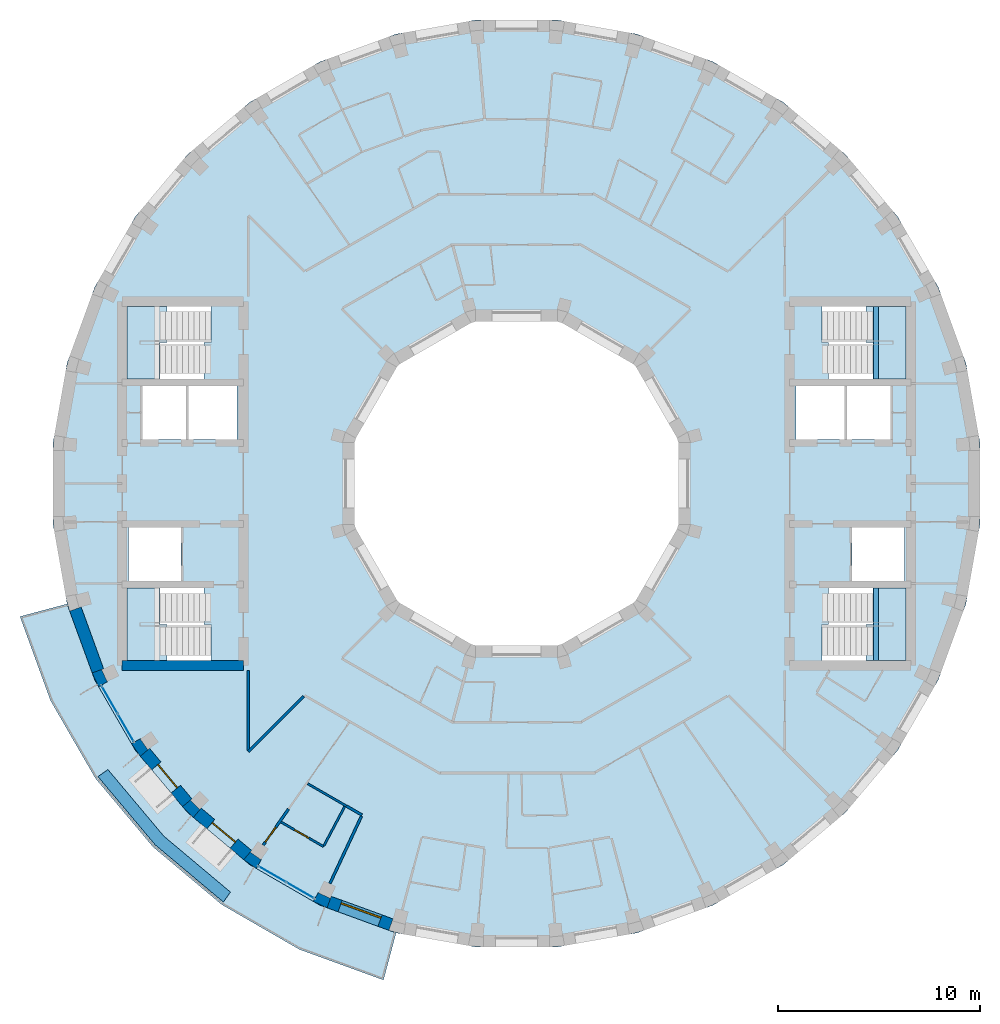
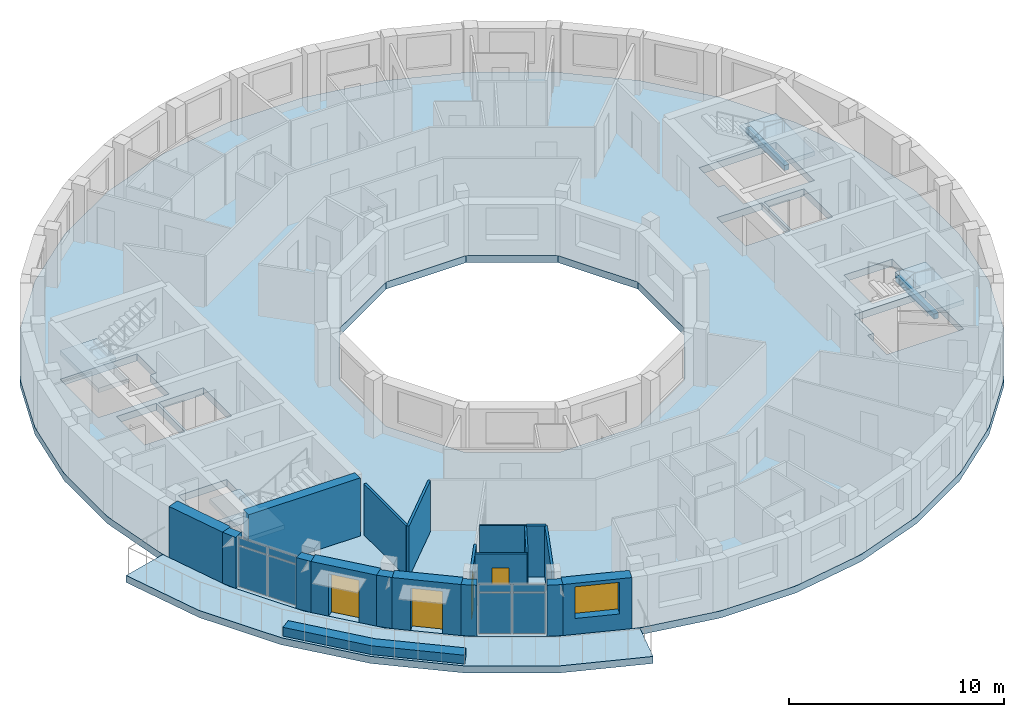
# One storey, part 3 of 12: 19 walls, 8 plates, 6 slabs, 4 doors, 2 beams, 1 window, 5 openings, 6 elements without a shape of their own.
"""IFC4 building model written with IfcOpenShell, lengths in metres."""

import ifcopenshell
import ifcopenshell.guid

model = None  # the IFC model being written
_history = None  # IfcOwnerHistory: only IFC2X3 demands one
_inside = {}  # id of a spatial element -> (the spatial element, [elements in it])
_under = {}  # id of a project, library or spatial element -> (it, [spatial elements below it])
_declared = {}  # id of a project -> (the project, [libraries it declares])
_typed = {}  # id of a type object -> (the type object, [elements of that type])
_made_of = {}  # id of a material, layer set ... -> (it, [elements and type objects made of it])


def new_model(schema):
    """Start an empty IFC model of exactly this schema.

    Asked for "IFC4X3", IfcOpenShell would pick the latest addendum, in which some entities
    have other attributes; the version numbers below select the first issue.
    IFC2X3 requires an IfcOwnerHistory on every rooted entity: one is made here for all.
    """
    global model, _history
    if schema == "IFC4X3":
        model = ifcopenshell.file(schema_version=(4, 3, 0, 0))
    else:
        model = ifcopenshell.file(schema=schema)
    _inside.clear()
    _under.clear()
    _declared.clear()
    _typed.clear()
    _made_of.clear()
    _history = None
    if model.schema == "IFC2X3":
        org = make("IfcOrganization", Name="unknown")
        user = make(
            "IfcPersonAndOrganization",
            ThePerson=make("IfcPerson", FamilyName="unknown"),
            TheOrganization=org,
        )
        app = make(
            "IfcApplication",
            ApplicationDeveloper=org,
            Version="unknown",
            ApplicationFullName="unknown",
            ApplicationIdentifier="unknown",
        )
        _history = make(
            "IfcOwnerHistory",
            OwningUser=user,
            OwningApplication=app,
            ChangeAction="ADDED",
            CreationDate=0,
        )
    return model


def make(cls, **values):
    """One entity of the class cls with the attributes given. An attribute that is None is left unset."""
    return model.create_entity(
        cls, **{name: value for name, value in values.items() if value is not None}
    )


def rooted(cls, **values):
    """An entity with a GlobalId (a new one), such as an element, a storey or a relation."""
    return make(cls, GlobalId=ifcopenshell.guid.new(), OwnerHistory=_history, **values)


def si_unit(unit_type, name, prefix=None):
    """IfcSIUnit, for example si_unit("LENGTHUNIT", "METRE", prefix="MILLI")."""
    return make("IfcSIUnit", UnitType=unit_type, Prefix=prefix, Name=name)


def assignment(units):
    """IfcUnitAssignment: the units of a project."""
    return None if units is None else make("IfcUnitAssignment", Units=units)


def point(xyz):
    """IfcCartesianPoint."""
    return None if xyz is None else make("IfcCartesianPoint", Coordinates=xyz)


def direction(xyz):
    """IfcDirection."""
    return None if xyz is None else make("IfcDirection", DirectionRatios=xyz)


def frame(location, z_axis=None, x_axis=None):
    """IfcAxis2Placement3D, a coordinate frame: its origin and axes. An axis left out is left unset."""
    return make(
        "IfcAxis2Placement3D",
        Location=point(location),
        Axis=direction(z_axis),
        RefDirection=direction(x_axis),
    )


def frame_2d(location, x_axis=None):
    """IfcAxis2Placement2D, a coordinate frame in the plane: its origin and x axis."""
    return make(
        "IfcAxis2Placement2D", Location=point(location), RefDirection=direction(x_axis)
    )


def origin():
    """The frame at (0, 0, 0) with its axes left unset."""
    return frame((0.0, 0.0, 0.0))


def origin_2d():
    """The frame at (0, 0) in the plane with its x axis left unset."""
    return frame_2d((0.0, 0.0))


def place(relative_to, where):
    """IfcLocalPlacement: puts the frame where relative to a parent placement (None: the world)."""
    return make(
        "IfcLocalPlacement", PlacementRelTo=relative_to, RelativePlacement=where
    )


def context(
    kind, dimensions, precision=None, world=None, true_north=None, identifier=None
):
    """IfcGeometricRepresentationContext, for example the 3D "Model" context."""
    return make(
        "IfcGeometricRepresentationContext",
        ContextIdentifier=identifier,
        ContextType=kind,
        CoordinateSpaceDimension=dimensions,
        Precision=precision,
        WorldCoordinateSystem=world,
        TrueNorth=true_north,
    )


def subcontext(parent, identifier, kind, view, scale=None):
    """IfcGeometricRepresentationSubContext, for example "Body" below "Model"."""
    return make(
        "IfcGeometricRepresentationSubContext",
        ContextIdentifier=identifier,
        ContextType=kind,
        ParentContext=parent,
        TargetScale=scale,
        TargetView=view,
    )


def project(units=None, contexts=None):
    """IfcProject with its units and contexts."""
    return rooted(
        "IfcProject",
        Name="project",
        RepresentationContexts=contexts,
        UnitsInContext=assignment(units),
    )


def spatial(cls, under=None, at=None, **own):
    """A site, building, storey or space (cls), placed at a placement, below another one or the project."""
    s = rooted(cls, ObjectPlacement=at, **own)
    if under is not None:
        _under.setdefault(under.id(), (under, []))[1].append(s)
    return s


def polyline(points):
    """IfcPolyline through the points."""
    return make("IfcPolyline", Points=[point(p) for p in points])


def profile(cls, at=None, kind="AREA", **sizes):
    """A parametric profile (cls). Its sizes go by their IFC names, for example OverallWidth=200.0."""
    return make(cls, ProfileType=kind, Position=at, **sizes)


def rectangle(**sizes):
    """IfcRectangleProfileDef."""
    return profile("IfcRectangleProfileDef", **sizes)


def outline(outer, holes=None, kind="AREA"):
    """IfcArbitraryClosedProfileDef: a profile drawn as a closed curve; with holes, ...WithVoids."""
    if holes is None:
        return make("IfcArbitraryClosedProfileDef", ProfileType=kind, OuterCurve=outer)
    return make(
        "IfcArbitraryProfileDefWithVoids",
        ProfileType=kind,
        OuterCurve=outer,
        InnerCurves=holes,
    )


def extrude(swept, where, along, depth):
    """IfcExtrudedAreaSolid: the profile swept, set in the frame where, extruded along a direction by depth."""
    return make(
        "IfcExtrudedAreaSolid",
        SweptArea=swept,
        Position=where,
        ExtrudedDirection=direction(along),
        Depth=depth,
    )


def shape(context_of_items, identifier, shape_type, items):
    """IfcShapeRepresentation: the items that make up one representation, for example the "Body"."""
    return make(
        "IfcShapeRepresentation",
        ContextOfItems=context_of_items,
        RepresentationIdentifier=identifier,
        RepresentationType=shape_type,
        Items=items,
    )


def material(Name=None, Category=None):
    """IfcMaterial."""
    return make("IfcMaterial", Name=Name, Category=Category)


def layer(
    of_material, thickness, ventilated=None, Name=None, Category=None, Priority=None
):
    """IfcMaterialLayer: one layer of a wall or slab, of a material (None: an air gap)."""
    return make(
        "IfcMaterialLayer",
        Material=of_material,
        LayerThickness=thickness,
        IsVentilated=ventilated,
        Name=Name,
        Category=Category,
        Priority=Priority,
    )


def layer_set(layers, Name=None):
    """IfcMaterialLayerSet."""
    return make("IfcMaterialLayerSet", MaterialLayers=layers, LayerSetName=Name)


def material_profile(
    of_material, cross_section, Name=None, Category=None, Priority=None
):
    """IfcMaterialProfile: a cross section and its material."""
    return make(
        "IfcMaterialProfile",
        Name=Name,
        Material=of_material,
        Profile=cross_section,
        Priority=Priority,
        Category=Category,
    )


def profile_set(profiles, Name=None, composite=None):
    """IfcMaterialProfileSet."""
    return make(
        "IfcMaterialProfileSet",
        Name=Name,
        MaterialProfiles=profiles,
        CompositeProfile=composite,
    )


def made_of(thing, what):
    """Note that an element or type object is made of a material, layer set ...; save() writes the relation."""
    if what is not None:
        _made_of.setdefault(what.id(), (what, []))[1].append(thing)
    return thing


def type_object(cls, material=None, **own):
    """A type object (cls), such as IfcWallType, which elements share."""
    return made_of(rooted(cls, **own), material)


def element(
    cls,
    number,
    at=None,
    inside=None,
    cuts=None,
    type_object=None,
    material=None,
    context=None,
    identifier="Body",
    shape_type=None,
    held_by="IfcProductDefinitionShape",
    body=None,
    shapes=None,
    **own,
):
    """One element of the class cls, such as IfcWall. Its Tag is "e" and its number.

    at: its placement. inside: the storey or other place that contains it. cuts: it is an
    opening in that element (IfcRelVoidsElement). A single representation is given by context,
    identifier, shape_type and body (its items); several are given by shapes. held_by: the class
    of the entity that holds the representations. save() writes the other relations.
    """
    e = rooted(cls, Tag="e%d" % number, ObjectPlacement=at, **own)
    if body is not None:
        shapes = [shape(context, identifier, shape_type, body)]
    if shapes is not None:
        e.Representation = make(held_by, Representations=shapes)
    if inside is not None:
        _inside.setdefault(inside.id(), (inside, []))[1].append(e)
    if cuts is not None:
        rooted(
            "IfcRelVoidsElement", RelatingBuildingElement=cuts, RelatedOpeningElement=e
        )
    if type_object is not None:
        _typed.setdefault(type_object.id(), (type_object, []))[1].append(e)
    return made_of(e, material)


def fill(opening, filler):
    """IfcRelFillsElement: the door or window that sits in an opening."""
    return rooted(
        "IfcRelFillsElement",
        RelatingOpeningElement=opening,
        RelatedBuildingElement=filler,
    )


def aggregate(whole, parts):
    """IfcRelAggregates: a whole, such as a stair, and the parts it consists of."""
    return rooted("IfcRelAggregates", RelatingObject=whole, RelatedObjects=parts)


def save(model, path):
    """Write the relations noted so far, then the file.

    IfcRelAggregates (storeys below a building ...), IfcRelContainedInSpatialStructure (elements
    in a storey), IfcRelDefinesByType, IfcRelAssociatesMaterial and IfcRelDeclares: one each for
    every whole, place, type object, material and project.
    """
    for whole, parts in _under.values():
        aggregate(whole, parts)
    for where, things in _inside.values():
        rooted(
            "IfcRelContainedInSpatialStructure",
            RelatedElements=things,
            RelatingStructure=where,
        )
    for kind, things in _typed.values():
        rooted("IfcRelDefinesByType", RelatedObjects=things, RelatingType=kind)
    for what, things in _made_of.values():
        rooted("IfcRelAssociatesMaterial", RelatedObjects=things, RelatingMaterial=what)
    for by, libraries in _declared.values():
        rooted("IfcRelDeclares", RelatingContext=by, RelatedDefinitions=libraries)
    model.write(path)


model = new_model("IFC4")

# Units and contexts
model_context = context("Model", 3, precision=1e-05, world=origin(), true_north=direction((0.0, 1.0)))
body_context = subcontext(model_context, "Body", "Model", "MODEL_VIEW")
ifc_project = project(units=[si_unit("LENGTHUNIT", "METRE"), si_unit("AREAUNIT", "SQUARE_METRE"), si_unit("VOLUMEUNIT", "CUBIC_METRE"), si_unit("PLANEANGLEUNIT", "RADIAN"), si_unit("MASSUNIT", "GRAM", prefix="KILO")], contexts=[model_context])

# Site, building, storey
site_placement = place(None, origin())
site = spatial("IfcSite", under=ifc_project, at=site_placement, CompositionType="ELEMENT")
building_placement = place(site_placement, origin())
building = spatial("IfcBuilding", under=site, at=building_placement, Name="Saqina Gate Tower", CompositionType="ELEMENT")
storey_placement = place(building_placement, frame((0.0, 0.0, 259.39990234375)))
storey = spatial("IfcBuildingStorey", under=building, at=storey_placement, Name="L74", CompositionType="ELEMENT", Elevation=259.39990234375)

# Beams
ifc_material_1 = material(Name="Concrete C40/50", Category="concrete")
ifc_material_profile = material_profile(ifc_material_1, rectangle(XDim=0.25, YDim=0.300048828125, at=origin_2d()), Name="STAIR LANDING BEAM")
ifc_profile_set = profile_set([ifc_material_profile], Name="Concrete C40/50")
beam_type = type_object("IfcBeamType", Name="STAIR LANDING BEAM", PredefinedType="BEAM", material=ifc_profile_set)
for number, where, z_axis, x_axis, name in (
    (1, (17.77001953125, 5.175048828125, 1.25), (0.0, 1.0, 0.0), (-1.0, 0.0, 0.0), "EXIT STAIR 1 LANDING BEAM"),
    (2, (17.77001953125, -8.75, 1.25), (0.0, 1.0, 0.0), (-1.0, 0.0, 0.0), "EXIT STAIR 2 LANDING BEAM"),
):
    element("IfcBeam", number, at=place(storey_placement, frame(where, z_axis=z_axis, x_axis=x_axis)), inside=storey, type_object=beam_type, Name=name, PredefinedType="BEAM", context=body_context, shape_type="SweptSolid", body=[
        extrude(rectangle(XDim=0.25, YDim=0.300048828125, at=origin_2d()), origin(), (0.0, 0.0, 1.0), 3.574951171875),
    ])

# Curtain wall, plates
ifc_material_2 = material(Name="Aluminium glazing", Category="aluminium")
ifc_layer_1 = layer(ifc_material_2, 0.159912109375)
ifc_layer_set_1 = layer_set([ifc_layer_1], Name="CWT-4")
curtain_wall_type = type_object("IfcCurtainWallType", Name="CWT-4", PredefinedType="NOTDEFINED", material=ifc_layer_set_1)
curtain_wall_1_placement = place(storey_placement, origin())
curtain_wall_1 = element("IfcCurtainWall", 3, at=curtain_wall_1_placement, inside=storey, type_object=curtain_wall_type, Name="Terrace lounge glazing facet 21", PredefinedType="NOTDEFINED")
ifc_material_3 = material(Name="Glass", Category="glass")
ifc_layer_2 = layer(ifc_material_3, 0.028076171875)
ifc_layer_set_2 = layer_set([ifc_layer_2], Name="CWT-4P")
plate_type = type_object("IfcPlateType", Name="CWT-4P", PredefinedType="CURTAIN_PANEL", material=ifc_layer_set_2)
plate_1_placement = place(storey_placement, frame((-20.11181640625, -10.690185546875, 0.06005859375), z_axis=(0.0, 0.0, 1.0), x_axis=(0.499982449212, -0.8660355365, 0.0)))
plate_1 = element("IfcPlate", 4, at=plate_1_placement, type_object=plate_type, Name="CW4-21 panel 1.1", PredefinedType="CURTAIN_PANEL", context=body_context, shape_type="SweptSolid", body=[
    extrude(rectangle(XDim=1.535888671875, YDim=0.028076171875, at=origin_2d()), origin(), (0.0, 0.0, 1.0), 2.31005859375),
])
plate_2_placement = place(storey_placement, frame((-20.11181640625, -10.690185546875, 2.43017578125), z_axis=(0.0, 0.0, 1.0), x_axis=(0.499982449212, -0.8660355365, 0.0)))
plate_2 = element("IfcPlate", 5, at=plate_2_placement, type_object=plate_type, Name="CW4-21 panel 1.2", PredefinedType="CURTAIN_PANEL", context=body_context, shape_type="SweptSolid", body=[
    extrude(rectangle(XDim=1.535888671875, YDim=0.028076171875, at=origin_2d()), origin(), (0.0, 0.0, 1.0), 0.409912109375),
])
plate_3_placement = place(storey_placement, frame((-19.31396484375, -12.072265625, 0.06005859375), z_axis=(0.0, 0.0, 1.0), x_axis=(0.499982449212, -0.8660355365, 0.0)))
plate_3 = element("IfcPlate", 6, at=plate_3_placement, type_object=plate_type, Name="CW4-21 panel 2.1", PredefinedType="CURTAIN_PANEL", context=body_context, shape_type="SweptSolid", body=[
    extrude(rectangle(XDim=1.535888671875, YDim=0.028076171875, at=origin_2d()), origin(), (0.0, 0.0, 1.0), 2.31005859375),
])
plate_4_placement = place(storey_placement, frame((-19.31396484375, -12.072265625, 2.43017578125), z_axis=(0.0, 0.0, 1.0), x_axis=(0.499982449212, -0.8660355365, 0.0)))
plate_4 = element("IfcPlate", 7, at=plate_4_placement, type_object=plate_type, Name="CW4-21 panel 2.2", PredefinedType="CURTAIN_PANEL", context=body_context, shape_type="SweptSolid", body=[
    extrude(rectangle(XDim=1.535888671875, YDim=0.028076171875, at=origin_2d()), origin(), (0.0, 0.0, 1.0), 0.409912109375),
])
aggregate(curtain_wall_1, [plate_1, plate_2, plate_3, plate_4])

curtain_wall_2_placement = place(storey_placement, origin())
curtain_wall_2 = element("IfcCurtainWall", 8, at=curtain_wall_2_placement, inside=storey, type_object=curtain_wall_type, Name="Terrace lounge glazing facet 24", PredefinedType="NOTDEFINED")
plate_5_placement = place(storey_placement, frame((-12.072265625, -19.31396484375, 0.06005859375), z_axis=(0.0, 0.0, 1.0), x_axis=(0.8660355365, -0.499982449212, 0.0)))
plate_5 = element("IfcPlate", 9, at=plate_5_placement, type_object=plate_type, Name="CW4-24 panel 1.1", PredefinedType="CURTAIN_PANEL", context=body_context, shape_type="SweptSolid", body=[
    extrude(rectangle(XDim=1.535888671875, YDim=0.028076171875, at=origin_2d()), origin(), (0.0, 0.0, 1.0), 2.31005859375),
])
plate_6_placement = place(storey_placement, frame((-12.072265625, -19.31396484375, 2.43017578125), z_axis=(0.0, 0.0, 1.0), x_axis=(0.8660355365, -0.499982449212, 0.0)))
plate_6 = element("IfcPlate", 10, at=plate_6_placement, type_object=plate_type, Name="CW4-24 panel 1.2", PredefinedType="CURTAIN_PANEL", context=body_context, shape_type="SweptSolid", body=[
    extrude(rectangle(XDim=1.535888671875, YDim=0.028076171875, at=origin_2d()), origin(), (0.0, 0.0, 1.0), 0.409912109375),
])
plate_7_placement = place(storey_placement, frame((-10.690185546875, -20.11181640625, 0.06005859375), z_axis=(0.0, 0.0, 1.0), x_axis=(0.8660355365, -0.499982449212, 0.0)))
plate_7 = element("IfcPlate", 11, at=plate_7_placement, type_object=plate_type, Name="CW4-24 panel 2.1", PredefinedType="CURTAIN_PANEL", context=body_context, shape_type="SweptSolid", body=[
    extrude(rectangle(XDim=1.535888671875, YDim=0.028076171875, at=origin_2d()), origin(), (0.0, 0.0, 1.0), 2.31005859375),
])
plate_8_placement = place(storey_placement, frame((-10.690185546875, -20.11181640625, 2.43017578125), z_axis=(0.0, 0.0, 1.0), x_axis=(0.8660355365, -0.499982449212, 0.0)))
plate_8 = element("IfcPlate", 12, at=plate_8_placement, type_object=plate_type, Name="CW4-24 panel 2.2", PredefinedType="CURTAIN_PANEL", context=body_context, shape_type="SweptSolid", body=[
    extrude(rectangle(XDim=1.535888671875, YDim=0.028076171875, at=origin_2d()), origin(), (0.0, 0.0, 1.0), 0.409912109375),
])
aggregate(curtain_wall_2, [plate_5, plate_6, plate_7, plate_8])

# Stair, slab
ifc_material_4 = material(Name="Concrete C40/50", Category="concrete")
stair_type = type_object("IfcStairType", Name="EXIT STAIR", PredefinedType="HALF_TURN_STAIR", material=ifc_material_4)
stair_1_placement = place(storey_placement, origin())
stair_1 = element("IfcStair", 13, at=stair_1_placement, inside=storey, type_object=stair_type, Name="EXIT STAIR 1", PredefinedType="HALF_TURN_STAIR")
ifc_material_5 = material(Name="Concrete C40/50", Category="concrete")
ifc_layer_3 = layer(ifc_material_5, 0.25)
ifc_layer_set_3 = layer_set([ifc_layer_3], Name="Concrete C40/50")
slab_type_1 = type_object("IfcSlabType", Name="EXIT STAIR LANDING", PredefinedType="LANDING", material=ifc_layer_set_3)
slab_1_placement = place(storey_placement, frame((0.0, 0.0, 1.400146484375)))
slab_1 = element("IfcSlab", 14, at=slab_1_placement, type_object=slab_type_1, Name="EXIT STAIR 1 LANDING 1", PredefinedType="LANDING", context=body_context, shape_type="SweptSolid", body=[
    extrude(outline(polyline([(19.25, 8.75), (19.25, 5.175048828125), (17.614990234375, 5.175048828125), (17.614990234375, 6.96240234375), (17.284423828125, 6.96240234375), (17.284423828125, 8.75), (17.614990234375, 8.75), (17.6201171875, 8.75), (19.25, 8.75)])), origin(), (0.0, 0.0, 1.0), 0.25),
])
aggregate(stair_1, [slab_1])

stair_2_placement = place(storey_placement, origin())
stair_2 = element("IfcStair", 15, at=stair_2_placement, inside=storey, type_object=stair_type, Name="EXIT STAIR 2", PredefinedType="HALF_TURN_STAIR")
slab_2_placement = place(storey_placement, frame((0.0, 0.0, 1.400146484375)))
slab_2 = element("IfcSlab", 16, at=slab_2_placement, type_object=slab_type_1, Name="EXIT STAIR 2 LANDING 1", PredefinedType="LANDING", context=body_context, shape_type="SweptSolid", body=[
    extrude(outline(polyline([(17.284423828125, -8.75), (17.284423828125, -6.96240234375), (17.614990234375, -6.96240234375), (17.614990234375, -5.175048828125), (19.25, -5.175048828125), (19.25, -8.75), (17.6201171875, -8.75), (17.614990234375, -8.75), (17.284423828125, -8.75)])), origin(), (0.0, 0.0, 1.0), 0.25),
])
aggregate(stair_2, [slab_2])

stair_3_placement = place(storey_placement, origin())
stair_3 = element("IfcStair", 17, at=stair_3_placement, inside=storey, type_object=stair_type, Name="EXIT STAIR 3", PredefinedType="HALF_TURN_STAIR")
slab_3_placement = place(storey_placement, frame((0.0, 0.0, 1.400146484375)))
slab_3 = element("IfcSlab", 18, at=slab_3_placement, type_object=slab_type_1, Name="EXIT STAIR 3 LANDING 1", PredefinedType="LANDING", context=body_context, shape_type="SweptSolid", body=[
    extrude(outline(polyline([(-17.614990234375, 5.175048828125), (-19.25, 5.175048828125), (-19.25, 8.75), (-17.6201171875, 8.75), (-17.614990234375, 8.75), (-17.284423828125, 8.75), (-17.284423828125, 6.96240234375), (-17.614990234375, 6.96240234375), (-17.614990234375, 5.175048828125)])), origin(), (0.0, 0.0, 1.0), 0.25),
])
aggregate(stair_3, [slab_3])

stair_4_placement = place(storey_placement, origin())
stair_4 = element("IfcStair", 19, at=stair_4_placement, inside=storey, type_object=stair_type, Name="EXIT STAIR 4", PredefinedType="HALF_TURN_STAIR")
slab_4_placement = place(storey_placement, frame((0.0, 0.0, 1.400146484375)))
slab_4 = element("IfcSlab", 20, at=slab_4_placement, type_object=slab_type_1, Name="EXIT STAIR 4 LANDING 1", PredefinedType="LANDING", context=body_context, shape_type="SweptSolid", body=[
    extrude(outline(polyline([(-17.284423828125, -6.96240234375), (-17.284423828125, -8.75), (-17.614990234375, -8.75), (-17.6201171875, -8.75), (-19.25, -8.75), (-19.25, -5.175048828125), (-17.614990234375, -5.175048828125), (-17.614990234375, -6.96240234375), (-17.284423828125, -6.96240234375)])), origin(), (0.0, 0.0, 1.0), 0.25),
])
aggregate(stair_4, [slab_4])

# Slabs
ifc_material_6 = material(Name="Concrete C40/50", Category="concrete")
ifc_layer_4 = layer(ifc_material_6, 0.39990234375)
ifc_layer_set_4 = layer_set([ifc_layer_4], Name="Concrete C40/50")
slab_type_2 = type_object("IfcSlabType", Name="STR-POST-TENSIONED FLAT PLATE FLOOR-400", PredefinedType="FLOOR", material=ifc_layer_set_4)
slab_5_placement = place(storey_placement, frame((0.0, 0.0, -0.39990234375)))
element("IfcSlab", 21, at=slab_5_placement, inside=storey, type_object=slab_type_2, Name="L74-SLB01", PredefinedType="FLOOR", context=body_context, shape_type="SweptSolid", body=[
    extrude(outline(polyline([(22.21630859375, -5.952880859375), (22.91259765625, -2.004638671875), (22.91259765625, 2.004638671875), (22.21630859375, 5.952880859375), (20.844970703125, 9.72021484375), (18.840576171875, 13.192138671875), (16.263427734375, 16.263427734375), (13.192138671875, 18.840576171875), (9.72021484375, 20.844970703125), (5.952880859375, 22.21630859375), (2.004638671875, 22.91259765625), (-2.004638671875, 22.91259765625), (-5.952880859375, 22.21630859375), (-9.72021484375, 20.844970703125), (-13.192138671875, 18.840576171875), (-16.263427734375, 16.263427734375), (-18.840576171875, 13.192138671875), (-20.844970703125, 9.72021484375), (-22.21630859375, 5.952880859375), (-22.91259765625, 2.004638671875), (-22.91259765625, -2.004638671875), (-22.21630859375, -5.952880859375), (-20.844970703125, -9.72021484375), (-18.840576171875, -13.192138671875), (-16.263427734375, -16.263427734375), (-13.192138671875, -18.840576171875), (-9.72021484375, -20.844970703125), (-5.952880859375, -22.21630859375), (-2.004638671875, -22.91259765625), (2.004638671875, -22.91259765625), (5.952880859375, -22.21630859375), (9.72021484375, -20.844970703125), (13.192138671875, -18.840576171875), (16.263427734375, -16.263427734375), (18.840576171875, -13.192138671875), (20.844970703125, -9.72021484375), (22.21630859375, -5.952880859375)]), holes=[polyline([(2.1435546875, 8.0), (5.8564453125, 5.8564453125), (8.0, 2.1435546875), (8.0, -2.1435546875), (5.8564453125, -5.8564453125), (2.1435546875, -8.0), (-2.1435546875, -8.0), (-5.8564453125, -5.8564453125), (-8.0, -2.1435546875), (-8.0, 2.1435546875), (-5.8564453125, 5.8564453125), (-2.1435546875, 8.0), (2.1435546875, 8.0)]), polyline([(-15.10498046875, -8.75), (-19.25, -8.75), (-19.25, -6.96240234375), (-19.25, -5.175048828125), (-15.435546875, -5.175048828125), (-15.435546875, -6.96240234375), (-15.10498046875, -6.96240234375), (-15.10498046875, -8.75)]), polyline([(-16.590087890625, -2.175048828125), (-16.590087890625, -4.824951171875), (-19.18994140625, -4.824951171875), (-19.18994140625, -2.175048828125), (-16.590087890625, -2.175048828125)]), polyline([(-16.340087890625, 4.824951171875), (-16.340087890625, 2.175048828125), (-18.5, 2.175048828125), (-18.5, 4.824951171875), (-16.340087890625, 4.824951171875)]), polyline([(-13.81005859375, 4.824951171875), (-13.81005859375, 2.175048828125), (-16.219970703125, 2.175048828125), (-16.219970703125, 4.824951171875), (-13.81005859375, 4.824951171875)]), polyline([(-19.25, 6.96240234375), (-19.25, 8.75), (-15.10498046875, 8.75), (-15.10498046875, 6.96240234375), (-15.435546875, 6.96240234375), (-15.435546875, 5.175048828125), (-19.25, 5.175048828125), (-19.25, 6.96240234375)]), polyline([(15.10498046875, -8.75), (15.10498046875, -6.96240234375), (15.435546875, -6.96240234375), (15.435546875, -5.175048828125), (19.25, -5.175048828125), (19.25, -6.96240234375), (19.25, -8.75), (15.10498046875, -8.75)]), polyline([(19.18994140625, -2.175048828125), (19.18994140625, -4.824951171875), (16.590087890625, -4.824951171875), (16.590087890625, -2.175048828125), (19.18994140625, -2.175048828125)]), polyline([(16.219970703125, 4.824951171875), (16.219970703125, 2.175048828125), (13.81005859375, 2.175048828125), (13.81005859375, 4.824951171875), (16.219970703125, 4.824951171875)]), polyline([(18.5, 4.824951171875), (18.5, 2.175048828125), (16.340087890625, 2.175048828125), (16.340087890625, 4.824951171875), (18.5, 4.824951171875)]), polyline([(15.435546875, 6.96240234375), (15.10498046875, 6.96240234375), (15.10498046875, 8.75), (19.25, 8.75), (19.25, 6.96240234375), (19.25, 5.175048828125), (15.435546875, 5.175048828125), (15.435546875, 6.96240234375)])]), origin(), (0.0, 0.0, 1.0), 0.39990234375),
])
ifc_material_7 = material(Name="Concrete C40/50", Category="concrete")
ifc_layer_5 = layer(ifc_material_7, 0.39990234375)
ifc_layer_set_5 = layer_set([ifc_layer_5], Name="Concrete C40/50")
slab_type_3 = type_object("IfcSlabType", Name="STR-POST-TENSIONED FLAT PLATE TERRACE-400", PredefinedType="FLOOR", material=ifc_layer_set_5)
slab_6_placement = place(storey_placement, frame((0.0, 0.0, -0.39990234375)))
element("IfcSlab", 22, at=slab_6_placement, inside=storey, type_object=slab_type_3, Name="L74-TRS01", PredefinedType="FLOOR", context=body_context, shape_type="SweptSolid", body=[
    extrude(outline(polyline([(-22.21630859375, -5.952880859375), (-20.844970703125, -9.72021484375), (-18.840576171875, -13.192138671875), (-16.263427734375, -16.263427734375), (-13.192138671875, -18.840576171875), (-9.72021484375, -20.844970703125), (-5.952880859375, -22.21630859375), (-6.576416015625, -24.54345703125), (-10.73828125, -23.028564453125), (-14.57421875, -20.81396484375), (-17.967041015625, -17.967041015625), (-20.81396484375, -14.57421875), (-23.028564453125, -10.73828125), (-24.54345703125, -6.576416015625), (-22.21630859375, -5.952880859375)])), origin(), (0.0, 0.0, 1.0), 0.39990234375),
])

# Walls
ifc_material_8 = material(Name="Brick masonry (buff)", Category="masonry")
wall_type_1 = type_object("IfcWallType", Name="BRICK PIER COPING BUFF", PredefinedType="SOLIDWALL", material=ifc_material_8)
wall_1_placement = place(storey_placement, origin())
element("IfcWall", 23, at=wall_1_placement, inside=storey, type_object=wall_type_1, Name="Pier cap L74 column 21", PredefinedType="SOLIDWALL", context=body_context, shape_type="SweptSolid", body=[
    extrude(outline(polyline([(-20.974609375, -9.3642578125), (-20.65576171875, -10.048095703125), (-20.135986328125, -9.748291015625), (-20.23193359375, -9.79296875), (-20.506591796875, -9.203857421875), (-20.410888671875, -9.1591796875), (-20.974609375, -9.3642578125)])), origin(), (0.0, 0.0, 1.0), 2.900146484375),
])
wall_2_placement = place(storey_placement, origin())
element("IfcWall", 24, at=wall_2_placement, inside=storey, type_object=wall_type_1, Name="Pier cap L74 column 22", PredefinedType="SOLIDWALL", context=body_context, shape_type="SweptSolid", body=[
    extrude(outline(polyline([(-19.02978515625, -12.8642578125), (-18.59716796875, -13.482421875), (-18.137451171875, -13.0966796875), (-18.22412109375, -13.157470703125), (-18.596923828125, -12.625), (-18.51025390625, -12.564208984375), (-19.02978515625, -12.8642578125)])), origin(), (0.0, 0.0, 1.0), 2.900146484375),
])
wall_3_placement = place(storey_placement, origin())
element("IfcWall", 25, at=wall_3_placement, inside=storey, type_object=wall_type_1, Name="Pier cap L74 column 23", PredefinedType="SOLIDWALL", context=body_context, shape_type="SweptSolid", body=[
    extrude(outline(polyline([(-15.973388671875, -16.5068359375), (-15.587646484375, -16.04736328125), (-15.662353515625, -16.1220703125), (-16.1220703125, -15.662353515625), (-16.04736328125, -15.587646484375), (-16.5068359375, -15.973388671875), (-15.973388671875, -16.5068359375)])), origin(), (0.0, 0.0, 1.0), 2.900146484375),
])
wall_4_placement = place(storey_placement, origin())
element("IfcWall", 26, at=wall_4_placement, inside=storey, type_object=wall_type_1, Name="Pier cap L74 column 24", PredefinedType="SOLIDWALL", context=body_context, shape_type="SweptSolid", body=[
    extrude(outline(polyline([(-12.8642578125, -19.02978515625), (-12.564208984375, -18.51025390625), (-12.625, -18.596923828125), (-13.157470703125, -18.22412109375), (-13.0966796875, -18.137451171875), (-13.482421875, -18.59716796875), (-12.8642578125, -19.02978515625)])), origin(), (0.0, 0.0, 1.0), 2.900146484375),
])
wall_5_placement = place(storey_placement, origin())
element("IfcWall", 27, at=wall_5_placement, inside=storey, type_object=wall_type_1, Name="Pier cap L74 column 25", PredefinedType="SOLIDWALL", context=body_context, shape_type="SweptSolid", body=[
    extrude(outline(polyline([(-10.048095703125, -20.65576171875), (-9.3642578125, -20.974609375), (-9.1591796875, -20.410888671875), (-9.203857421875, -20.506591796875), (-9.79296875, -20.23193359375), (-9.748291015625, -20.135986328125), (-10.048095703125, -20.65576171875)])), origin(), (0.0, 0.0, 1.0), 2.900146484375),
])

# Wall, opening, door
ifc_material_9 = material(Name="Brick masonry (buff)", Category="masonry")
ifc_layer_6 = layer(ifc_material_9, 0.60009765625)
ifc_layer_set_6 = layer_set([ifc_layer_6], Name="FW-BRICK-BUFF")
wall_type_2 = type_object("IfcWallType", Name="FW-BRICK-BUFF", PredefinedType="SOLIDWALL", material=ifc_layer_set_6)
wall_6_placement = place(storey_placement, frame((-18.3671875, -13.28955078125, 0.0), z_axis=(0.0, 0.0, 1.0), x_axis=(0.64277291405, -0.766056773982, 0.0)))
wall_6 = element("IfcWall", 28, at=wall_6_placement, inside=storey, type_object=wall_type_2, Name="Facade wall L74 facet 22", PredefinedType="SOLIDWALL", context=body_context, shape_type="SweptSolid", body=[
    extrude(rectangle(XDim=3.251708984375, YDim=0.60009765625, at=frame_2d((1.6259765625, 0.0))), origin(), (0.0, 0.0, 1.0), 2.900146484375),
])
opening_1_placement = place(wall_6_placement, frame((0.875732421875, 0.0, 0.0)))
opening_1 = element("IfcOpeningElement", 29, at=opening_1_placement, cuts=wall_6, Name="Opening G22-D80", PredefinedType="OPENING", context=body_context, shape_type="SweptSolid", body=[
    extrude(rectangle(XDim=1.5, YDim=2.39990234375, at=frame_2d((0.75, 1.199951171875))), frame((0.0, 0.31201171875, 0.0), z_axis=(0.0, -1.0, 0.0), x_axis=(1.0, 0.0, 0.0)), (0.0, 0.0, 1.0), 0.6240234375),
])
ifc_material_10 = material(Name="Aluminium glazing", Category="aluminium")
door_type_1 = type_object("IfcDoorType", Name="GD-D", OperationType="DOUBLE_DOOR_SINGLE_SWING", PredefinedType="DOOR", material=ifc_material_10)
door_1_placement = place(opening_1_placement, origin())
door_1 = element("IfcDoor", 30, at=door_1_placement, inside=storey, type_object=door_type_1, Name="Terrace door L74 facet 22", OperationType="DOUBLE_DOOR_SINGLE_SWING", OverallHeight=2.39990234375, OverallWidth=1.5, PredefinedType="DOOR", context=body_context, shape_type="SweptSolid", body=[
    extrude(rectangle(XDim=1.5, YDim=2.39990234375, at=frame_2d((0.75, 1.199951171875))), frame((0.0, 0.125, 0.0), z_axis=(0.0, -1.0, 0.0), x_axis=(1.0, 0.0, 0.0)), (0.0, 0.0, 1.0), 0.050048828125),
])
fill(opening_1, door_1)

wall_7_placement = place(storey_placement, frame((-15.780517578125, -16.277099609375, 0.0), z_axis=(0.0, 0.0, 1.0), x_axis=(0.766056773982, -0.64277291405, 0.0)))
wall_7 = element("IfcWall", 31, at=wall_7_placement, inside=storey, type_object=wall_type_2, Name="Facade wall L74 facet 23", PredefinedType="SOLIDWALL", context=body_context, shape_type="SweptSolid", body=[
    extrude(rectangle(XDim=3.251708984375, YDim=0.60009765625, at=frame_2d((1.6259765625, 0.0))), origin(), (0.0, 0.0, 1.0), 2.900146484375),
])
opening_2_placement = place(wall_7_placement, frame((0.875732421875, 0.0, 0.0)))
opening_2 = element("IfcOpeningElement", 32, at=opening_2_placement, cuts=wall_7, Name="Opening G22-D81", PredefinedType="OPENING", context=body_context, shape_type="SweptSolid", body=[
    extrude(rectangle(XDim=1.5, YDim=2.39990234375, at=frame_2d((0.75, 1.199951171875))), frame((0.0, 0.31201171875, 0.0), z_axis=(0.0, -1.0, 0.0), x_axis=(1.0, 0.0, 0.0)), (0.0, 0.0, 1.0), 0.6240234375),
])
door_2_placement = place(opening_2_placement, origin())
door_2 = element("IfcDoor", 33, at=door_2_placement, inside=storey, type_object=door_type_1, Name="Terrace door L74 facet 23", OperationType="DOUBLE_DOOR_SINGLE_SWING", OverallHeight=2.39990234375, OverallWidth=1.5, PredefinedType="DOOR", context=body_context, shape_type="SweptSolid", body=[
    extrude(rectangle(XDim=1.5, YDim=2.39990234375, at=frame_2d((0.75, 1.199951171875))), frame((0.0, 0.125, 0.0), z_axis=(0.0, -1.0, 0.0), x_axis=(1.0, 0.0, 0.0)), (0.0, 0.0, 1.0), 0.050048828125),
])
fill(opening_2, door_2)

# Wall, opening, window
wall_8_placement = place(storey_placement, frame((-9.26171875, -20.692626953125, 0.0), z_axis=(0.0, 0.0, 1.0), x_axis=(0.939679383794, -0.342056509473, 0.0)))
wall_8 = element("IfcWall", 34, at=wall_8_placement, inside=storey, type_object=wall_type_2, Name="Facade wall L74 facet 25", PredefinedType="SOLIDWALL", context=body_context, shape_type="SweptSolid", body=[
    extrude(rectangle(XDim=3.251708984375, YDim=0.60009765625, at=frame_2d((1.6259765625, 0.0))), origin(), (0.0, 0.0, 1.0), 2.900146484375),
])
opening_3_placement = place(wall_8_placement, frame((0.57568359375, 0.0, 0.89990234375)))
opening_3 = element("IfcOpeningElement", 35, at=opening_3_placement, cuts=wall_8, Name="Opening G22-W14", PredefinedType="OPENING", context=body_context, shape_type="SweptSolid", body=[
    extrude(rectangle(XDim=2.10009765625, YDim=1.800048828125, at=frame_2d((1.050048828125, 0.89990234375))), frame((0.0, 0.31201171875, 0.0), z_axis=(0.0, -1.0, 0.0), x_axis=(1.0, 0.0, 0.0)), (0.0, 0.0, 1.0), 0.6240234375),
])
ifc_material_11 = material(Name="Aluminium glazing", Category="aluminium")
window_type = type_object("IfcWindowType", Name="WN-D", PartitioningType="SINGLE_PANEL", PredefinedType="WINDOW", material=ifc_material_11)
window_placement = place(opening_3_placement, origin())
window = element("IfcWindow", 36, at=window_placement, inside=storey, type_object=window_type, Name="Window L74 facet 25", OverallHeight=1.800048828125, OverallWidth=2.10009765625, PartitioningType="SINGLE_PANEL", PredefinedType="WINDOW", context=body_context, shape_type="SweptSolid", body=[
    extrude(rectangle(XDim=2.10009765625, YDim=1.800048828125, at=frame_2d((1.050048828125, 0.89990234375))), frame((0.0, 0.179931640625, 0.0), z_axis=(0.0, -1.0, 0.0), x_axis=(1.0, 0.0, 0.0)), (0.0, 0.0, 1.0), 0.06005859375),
])
fill(opening_3, window)

# Wall
ifc_material_12 = material(Name="Glazed ceramic tile (dark blue)", Category="ceramic")
ifc_layer_7 = layer(ifc_material_12, 0.60009765625)
ifc_layer_set_7 = layer_set([ifc_layer_7], Name="FW-TILE-CB")
wall_type_3 = type_object("IfcWallType", Name="FW-TILE-CB", PredefinedType="SOLIDWALL", material=ifc_layer_set_7)
wall_9_placement = place(storey_placement, frame((-21.804931640625, -6.2060546875, 0.0), z_axis=(0.0, 0.0, 1.0), x_axis=(0.342056509473, -0.939679383794, 0.0)))
element("IfcWall", 37, at=wall_9_placement, inside=storey, type_object=wall_type_3, Name="Facade wall L74 facet 20", PredefinedType="SOLIDWALL", context=body_context, shape_type="SweptSolid", body=[
    extrude(rectangle(XDim=3.251708984375, YDim=0.60009765625, at=frame_2d((1.6259765625, 0.0))), origin(), (0.0, 0.0, 1.0), 2.900146484375),
])

# Wall, opening, door
ifc_material_13 = material(Name="Gypsum board on steel studs, 100 mm", Category="steel")
ifc_layer_8 = layer(ifc_material_13, 0.10009765625)
ifc_layer_set_8 = layer_set([ifc_layer_8], Name="PARTITION 100")
wall_type_4 = type_object("IfcWallType", Name="PARTITION 100", PredefinedType="PARTITIONING", material=ifc_layer_set_8)
wall_10_placement = place(storey_placement, frame((-11.638916015625, -16.7353515625, 0.0), z_axis=(0.0, 0.0, 1.0), x_axis=(0.866093196455, -0.499882561262, 0.0)))
wall_10 = element("IfcWall", 38, at=wall_10_placement, inside=storey, type_object=wall_type_4, Name="PARTITION PW3-16", PredefinedType="PARTITIONING", context=body_context, shape_type="SweptSolid", body=[
    extrude(rectangle(XDim=2.419921875, YDim=0.10009765625, at=frame_2d((1.2099609375, 0.0))), origin(), (0.0, 0.0, 1.0), 2.900146484375),
])
opening_4_placement = place(wall_10_placement, frame((0.777587890625, 0.0, 0.0)))
opening_4 = element("IfcOpeningElement", 39, at=opening_4_placement, cuts=wall_10, Name="Opening G22-D28", PredefinedType="OPENING", context=body_context, shape_type="SweptSolid", body=[
    extrude(rectangle(XDim=0.800048828125, YDim=2.10009765625, at=frame_2d((0.39990234375, 1.050048828125))), frame((0.0, 0.06201171875, 0.0), z_axis=(0.0, -1.0, 0.0), x_axis=(1.0, 0.0, 0.0)), (0.0, 0.0, 1.0), 0.1240234375),
])
ifc_material_14 = material(Name="Timber door leaf, 800 mm", Category="wood")
door_type_2 = type_object("IfcDoorType", Name="DOOR 800 TIMBER", OperationType="SINGLE_SWING_LEFT", PredefinedType="DOOR", material=ifc_material_14)
door_3_placement = place(opening_4_placement, frame((0.800048828125, 0.0, 0.0), z_axis=(0.0, 0.0, 1.0), x_axis=(-1.0, 0.0, 0.0)))
door_3 = element("IfcDoor", 40, at=door_3_placement, inside=storey, type_object=door_type_2, Name="DOOR G22-D28", OperationType="SINGLE_SWING_RIGHT", OverallHeight=2.10009765625, OverallWidth=0.800048828125, PredefinedType="DOOR", context=body_context, shape_type="SweptSolid", body=[
    extrude(rectangle(XDim=0.800048828125, YDim=2.10009765625, at=frame_2d((0.39990234375, 1.050048828125))), frame((0.0, 0.02490234375, 0.0), z_axis=(0.0, -1.0, 0.0), x_axis=(1.0, 0.0, 0.0)), (0.0, 0.0, 1.0), 0.050048828125),
])
fill(opening_4, door_3)

# Walls
wall_11_placement = place(storey_placement, frame((-10.32421875, -14.837890625, 0.0), z_axis=(0.0, 0.0, 1.0), x_axis=(0.866035918664, -0.499981787252, 0.0)))
element("IfcWall", 41, at=wall_11_placement, inside=storey, type_object=wall_type_4, Name="PARTITION PW3-17", PredefinedType="PARTITIONING", context=body_context, shape_type="SweptSolid", body=[
    extrude(rectangle(XDim=2.2001953125, YDim=0.10009765625, at=frame_2d((1.10009765625, 0.0))), origin(), (0.0, 0.0, 1.0), 2.900146484375),
])
wall_12_placement = place(storey_placement, frame((-9.51953125, -17.90087890625, 0.0), z_axis=(0.0, 0.0, 1.0), x_axis=(0.469644416179, 0.882855663374, 0.0)))
element("IfcWall", 42, at=wall_12_placement, inside=storey, type_object=wall_type_4, Name="PARTITION PW3-43", PredefinedType="PARTITIONING", context=body_context, shape_type="SweptSolid", body=[
    extrude(rectangle(XDim=2.18896484375, YDim=0.10009765625, at=frame_2d((1.094482421875, 0.0))), origin(), (0.0, 0.0, 1.0), 2.900146484375),
])
ifc_material_15 = material(Name="Gypsum board on steel studs, 125 mm, fire rated", Category="steel")
ifc_layer_9 = layer(ifc_material_15, 0.125)
ifc_layer_set_9 = layer_set([ifc_layer_9], Name="PARTITION EI 30 125")
wall_type_5 = type_object("IfcWallType", Name="PARTITION EI 30 125", PredefinedType="PARTITIONING", material=ifc_layer_set_9)
wall_13_placement = place(storey_placement, frame((-8.418701171875, -15.93798828125, 0.0), z_axis=(0.0, 0.0, 1.0), x_axis=(0.866053945006, -0.499950561895, 0.0)))
element("IfcWall", 43, at=wall_13_placement, inside=storey, type_object=wall_type_5, Name="PARTITION PW1-10", PredefinedType="PARTITIONING", context=body_context, shape_type="SweptSolid", body=[
    extrude(rectangle(XDim=0.8955078125, YDim=0.125, at=frame_2d((0.44775390625, 0.0))), origin(), (0.0, 0.0, 1.0), 2.900146484375),
])
wall_14_placement = place(storey_placement, frame((-13.25, -13.25, 0.0), z_axis=(0.0, 0.0, 1.0), x_axis=(0.707106781187, 0.707106781187, 0.0)))
element("IfcWall", 44, at=wall_14_placement, inside=storey, type_object=wall_type_5, Name="PARTITION PW1-30", PredefinedType="PARTITIONING", context=body_context, shape_type="SweptSolid", body=[
    extrude(rectangle(XDim=3.8603515625, YDim=0.125, at=frame_2d((1.93017578125, 0.0))), origin(), (0.0, 0.0, 1.0), 2.900146484375),
])

# Wall, opening, door
wall_15_placement = place(storey_placement, frame((-12.512939453125, -17.86962890625, 0.0), z_axis=(0.0, 0.0, 1.0), x_axis=(0.573296063173, 0.819348292212, 0.0)))
wall_15 = element("IfcWall", 45, at=wall_15_placement, inside=storey, type_object=wall_type_5, Name="PARTITION PW1-34", PredefinedType="PARTITIONING", context=body_context, shape_type="SweptSolid", body=[
    extrude(rectangle(XDim=2.16796875, YDim=0.125, at=frame_2d((1.083984375, 0.0))), origin(), (0.0, 0.0, 1.0), 2.900146484375),
])
opening_5_placement = place(wall_15_placement, frame((0.1708984375, 0.0, 0.0)))
opening_5 = element("IfcOpeningElement", 46, at=opening_5_placement, cuts=wall_15, Name="Opening G22-D27", PredefinedType="OPENING", context=body_context, shape_type="SweptSolid", body=[
    extrude(rectangle(XDim=0.89990234375, YDim=2.10009765625, at=frame_2d((0.449951171875, 1.050048828125))), frame((0.0, 0.074462890625, 0.0), z_axis=(0.0, -1.0, 0.0), x_axis=(1.0, 0.0, 0.0)), (0.0, 0.0, 1.0), 0.14892578125),
])
ifc_material_16 = material(Name="Fire door leaf EI 30, 900 mm")
door_type_3 = type_object("IfcDoorType", Name="DOOR 900 EI 30", OperationType="SINGLE_SWING_LEFT", PredefinedType="DOOR", material=ifc_material_16)
door_4_placement = place(opening_5_placement, origin())
door_4 = element("IfcDoor", 47, at=door_4_placement, inside=storey, type_object=door_type_3, Name="DOOR G22-D27", OperationType="SINGLE_SWING_LEFT", OverallHeight=2.10009765625, OverallWidth=0.89990234375, PredefinedType="DOOR", context=body_context, shape_type="SweptSolid", body=[
    extrude(rectangle(XDim=0.89990234375, YDim=2.10009765625, at=frame_2d((0.449951171875, 1.050048828125))), frame((0.0, 0.02490234375, 0.0), z_axis=(0.0, -1.0, 0.0), x_axis=(1.0, 0.0, 0.0)), (0.0, 0.0, 1.0), 0.050048828125),
])
fill(opening_5, door_4)

# Walls
wall_16_placement = place(storey_placement, frame((-9.22021484375, -19.770751953125, 0.0), z_axis=(0.0, 0.0, 1.0), x_axis=(0.4238971674, 0.90571032426, 0.0)))
element("IfcWall", 48, at=wall_16_placement, inside=storey, type_object=wall_type_5, Name="PARTITION PW1-37", PredefinedType="PARTITIONING", context=body_context, shape_type="SweptSolid", body=[
    extrude(rectangle(XDim=3.671630859375, YDim=0.125, at=frame_2d((1.8359375, 0.0))), origin(), (0.0, 0.0, 1.0), 2.900146484375),
])
wall_17_placement = place(storey_placement, frame((-13.25, -13.1875, 0.0), z_axis=(0.0, 0.0, 1.0), x_axis=(0.0, 1.0, 0.0)))
element("IfcWall", 49, at=wall_17_placement, inside=storey, type_object=wall_type_5, Name="PARTITION PW1-44", PredefinedType="PARTITIONING", context=body_context, shape_type="SweptSolid", body=[
    extrude(rectangle(XDim=3.9375, YDim=0.125, at=frame_2d((1.96875, 0.0))), origin(), (0.0, 0.0, 1.0), 2.900146484375),
])
ifc_material_17 = material(Name="Brick masonry (red)", Category="masonry")
ifc_layer_10 = layer(ifc_material_17, 0.60009765625)
ifc_layer_set_10 = layer_set([ifc_layer_10], Name="PL-PLANTER")
wall_type_6 = type_object("IfcWallType", Name="PL-PLANTER", PredefinedType="PARAPET", material=ifc_layer_set_10)
wall_18_placement = place(storey_placement, origin())
element("IfcWall", 50, at=wall_18_placement, inside=storey, type_object=wall_type_6, Name="Planter L74", PredefinedType="PARAPET", context=body_context, shape_type="SweptSolid", body=[
    extrude(outline(polyline([(-20.690673828125, -14.48779296875), (-17.860595703125, -17.860595703125), (-14.48779296875, -20.690673828125), (-14.142333984375, -20.197265625), (-17.4345703125, -17.4345703125), (-20.197265625, -14.142333984375), (-20.690673828125, -14.48779296875)])), origin(), (0.0, 0.0, 1.0), 0.5),
])
ifc_material_18 = material(Name="Concrete C60/75", Category="concrete")
ifc_layer_11 = layer(ifc_material_18, 0.5)
ifc_layer_set_11 = layer_set([ifc_layer_11], Name="Concrete C60/75")
wall_type_7 = type_object("IfcWallType", Name="STR-CORE WALL-D-O", PredefinedType="SHEAR", material=ifc_layer_set_11)
wall_19_placement = place(storey_placement, frame((-13.5, -9.0, 0.0), z_axis=(0.0, 0.0, 1.0), x_axis=(-1.0, 0.0, 0.0)))
element("IfcWall", 51, at=wall_19_placement, inside=storey, type_object=wall_type_7, Name="CORE WALL L74 W-SE", PredefinedType="SHEAR", context=body_context, shape_type="SweptSolid", body=[
    extrude(rectangle(XDim=6.0, YDim=0.5, at=frame_2d((3.0, 0.0))), origin(), (0.0, 0.0, 1.0), 3.300048828125),
])

save(model, "model.ifc")
